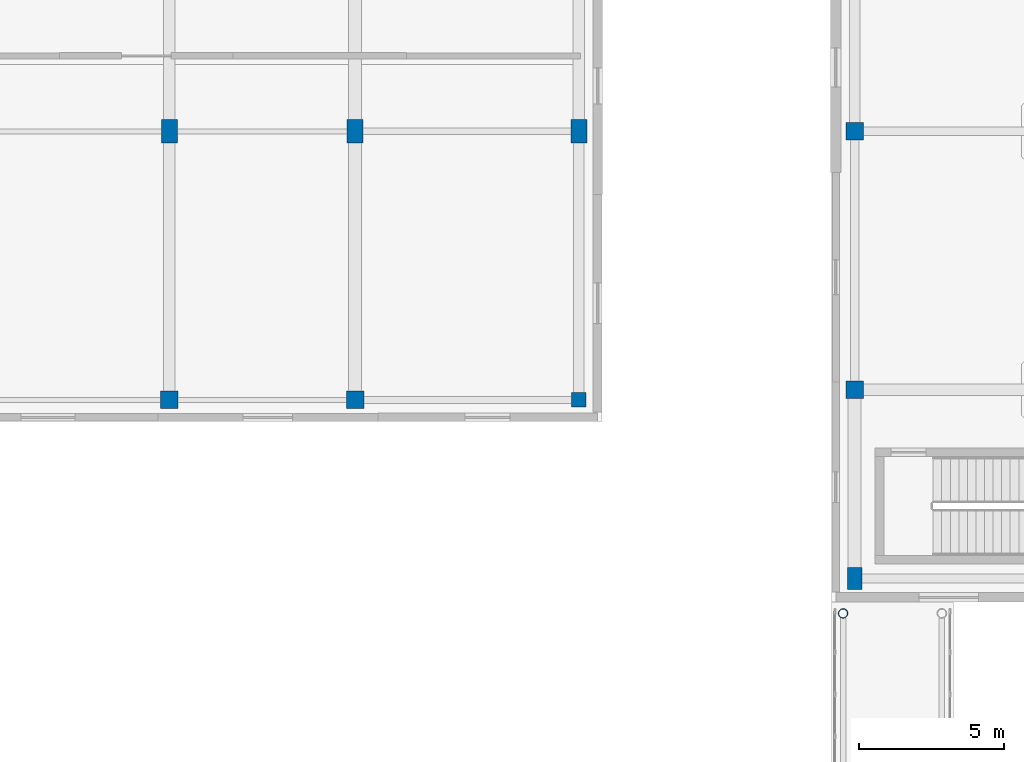
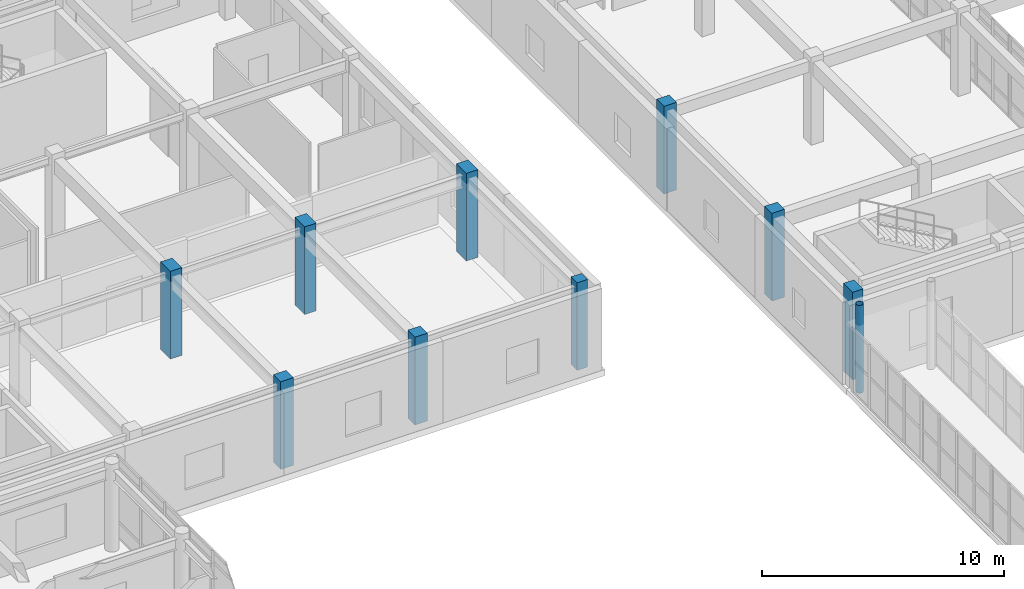
# One storey, part 10 of 142: 10 columns.
"""IFC4 building model written with IfcOpenShell, lengths in metres."""

from ifc_helpers import new_model, si_unit, direction, frame, origin, origin_2d, place, context, subcontext, project, spatial, rectangle, hollow_circle, extrude, material, material_profile, profile_set, type_object, element, save


model = new_model("IFC4")

# Units and contexts
model_context = context("Model", 3, precision=1e-05, world=origin(), true_north=direction((0.0, 1.0)))
body_context = subcontext(model_context, "Body", "Model", "MODEL_VIEW")
ifc_project = project(units=[si_unit("LENGTHUNIT", "METRE"), si_unit("AREAUNIT", "SQUARE_METRE"), si_unit("VOLUMEUNIT", "CUBIC_METRE"), si_unit("PLANEANGLEUNIT", "RADIAN"), si_unit("MASSUNIT", "GRAM", prefix="KILO")], contexts=[model_context])

# Site, building, storey
site_placement = place(None, origin())
site = spatial("IfcSite", under=ifc_project, at=site_placement, CompositionType="ELEMENT")
building_placement = place(site_placement, origin())
building = spatial("IfcBuilding", under=site, at=building_placement, Name="Valcora Specialist Clinic", CompositionType="ELEMENT")
storey_placement = place(building_placement, frame((0.0, 0.0, 5.10009765625)))
storey = spatial("IfcBuildingStorey", under=building, at=storey_placement, Name="L01", CompositionType="ELEMENT", Elevation=5.10009765625)

# Columns
ifc_material_1 = material(Name="Steel ASTM A500 Grade C", Category="steel")
ifc_material_profile_1 = material_profile(ifc_material_1, hollow_circle(Radius=0.162109375, WallThickness=0.011962890625, at=origin_2d()), Name="ST-CHS-324X12")
ifc_profile_set_1 = profile_set([ifc_material_profile_1], Name="Steel ASTM A500 Grade C")
column_type_1 = type_object("IfcColumnType", Name="TY-COL-CHS324", PredefinedType="COLUMN", material=ifc_profile_set_1)
column_1_placement = place(storey_placement, frame((61.60009765625, 73.60009765625, 0.0), z_axis=(0.0, 0.0, 1.0), x_axis=(1.0, 0.0, 0.0)))
element("IfcColumn", 1, at=column_1_placement, inside=storey, type_object=column_type_1, Name="Column COL-L01-0979", PredefinedType="COLUMN", context=body_context, shape_type="SweptSolid", body=[
    extrude(hollow_circle(Radius=0.162109375, WallThickness=0.011962890625, at=origin_2d()), origin(), (0.0, 0.0, 1.0), 4.419921875),
])
ifc_material_2 = material(Name="Concrete C40/50", Category="concrete")
ifc_material_profile_2 = material_profile(ifc_material_2, rectangle(XDim=0.5, YDim=0.5, at=origin_2d()), Name="RC-COL-500X500")
ifc_profile_set_2 = profile_set([ifc_material_profile_2], Name="Concrete C40/50")
column_type_2 = type_object("IfcColumnType", Name="TY-COL-RC500", PredefinedType="COLUMN", material=ifc_profile_set_2)
column_2_placement = place(storey_placement, frame((52.5, 80.949951171875, 0.0), z_axis=(0.0, 0.0, 1.0), x_axis=(1.0, 0.0, 0.0)))
element("IfcColumn", 2, at=column_2_placement, inside=storey, type_object=column_type_2, Name="Column COL-L01-0239", PredefinedType="COLUMN", context=body_context, shape_type="SweptSolid", body=[
    extrude(rectangle(XDim=0.5, YDim=0.5, at=origin_2d()), origin(), (0.0, 0.0, 1.0), 4.419921875),
])
ifc_material_profile_3 = material_profile(ifc_material_2, rectangle(XDim=0.5, YDim=0.75, at=origin_2d()), Name="RC-COL-500X750")
ifc_profile_set_3 = profile_set([ifc_material_profile_3], Name="Concrete C40/50")
column_type_3 = type_object("IfcColumnType", Name="TY-COL-RC500X750", PredefinedType="COLUMN", material=ifc_profile_set_3)
column_3_placement = place(storey_placement, frame((62.0, 74.800048828125, 0.0), z_axis=(0.0, 0.0, 1.0), x_axis=(1.0, 0.0, 0.0)))
element("IfcColumn", 3, at=column_3_placement, inside=storey, type_object=column_type_3, Name="Column COL-L01-0303", PredefinedType="COLUMN", context=body_context, shape_type="SweptSolid", body=[
    extrude(rectangle(XDim=0.5, YDim=0.75, at=origin_2d()), origin(), (0.0, 0.0, 1.0), 4.419921875),
])
ifc_material_profile_4 = material_profile(ifc_material_2, rectangle(XDim=0.550048828125, YDim=0.800048828125, at=origin_2d()), Name="RC-COL-550X800")
ifc_profile_set_4 = profile_set([ifc_material_profile_4], Name="Concrete C40/50")
column_type_4 = type_object("IfcColumnType", Name="TY-COL-RC550X800", PredefinedType="COLUMN", material=ifc_profile_set_4)
for number, where, z_axis, x_axis, name in (
    (4, (38.39990234375, 90.199951171875, 0.0), (0.0, 0.0, 1.0), (1.0, 0.0, 0.0), "Column COL-L01-0211"),
    (5, (44.800048828125, 90.199951171875, 0.0), (0.0, 0.0, 1.0), (1.0, 0.0, 0.0), "Column COL-L01-0227"),
    (6, (52.5, 90.199951171875, 0.0), (0.0, 0.0, 1.0), (1.0, 0.0, 0.0), "Column COL-L01-0242"),
):
    element("IfcColumn", number, at=place(storey_placement, frame(where, z_axis=z_axis, x_axis=x_axis)), inside=storey, type_object=column_type_4, Name=name, PredefinedType="COLUMN", context=body_context, shape_type="SweptSolid", body=[
        extrude(rectangle(XDim=0.550048828125, YDim=0.800048828125, at=origin_2d()), origin(), (0.0, 0.0, 1.0), 4.419921875),
    ])
ifc_material_profile_5 = material_profile(ifc_material_2, rectangle(XDim=0.60009765625, YDim=0.60009765625, at=origin_2d()), Name="RC-COL-600X600")
ifc_profile_set_5 = profile_set([ifc_material_profile_5], Name="Concrete C40/50")
column_type_5 = type_object("IfcColumnType", Name="TY-COL-RC600", PredefinedType="COLUMN", material=ifc_profile_set_5)
for number, where, z_axis, x_axis, name in (
    (7, (38.39990234375, 80.949951171875, 0.0), (0.0, 0.0, 1.0), (1.0, 0.0, 0.0), "Column COL-L01-0207"),
    (8, (44.800048828125, 80.949951171875, 0.0), (0.0, 0.0, 1.0), (1.0, 0.0, 0.0), "Column COL-L01-0223"),
    (9, (62.0, 81.300048828125, 0.0), (0.0, 0.0, 1.0), (1.0, 0.0, 0.0), "Column COL-L01-0308"),
    (10, (62.0, 90.199951171875, 0.0), (0.0, 0.0, 1.0), (1.0, 0.0, 0.0), "Column COL-L01-0313"),
):
    element("IfcColumn", number, at=place(storey_placement, frame(where, z_axis=z_axis, x_axis=x_axis)), inside=storey, type_object=column_type_5, Name=name, PredefinedType="COLUMN", context=body_context, shape_type="SweptSolid", body=[
        extrude(rectangle(XDim=0.60009765625, YDim=0.60009765625, at=origin_2d()), origin(), (0.0, 0.0, 1.0), 4.419921875),
    ])

save(model, "model.ifc")
